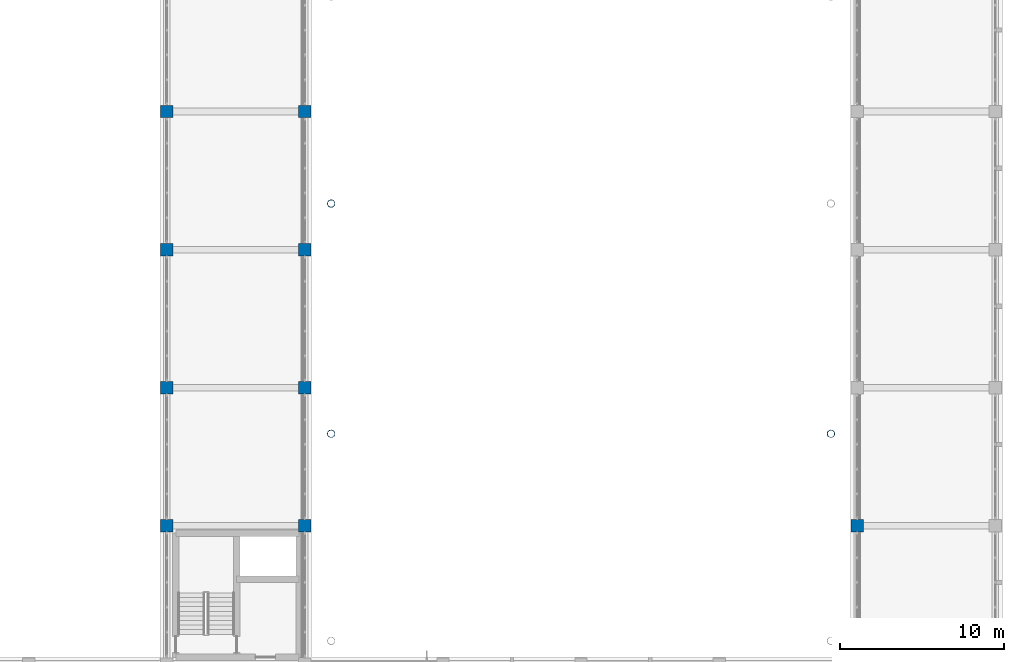
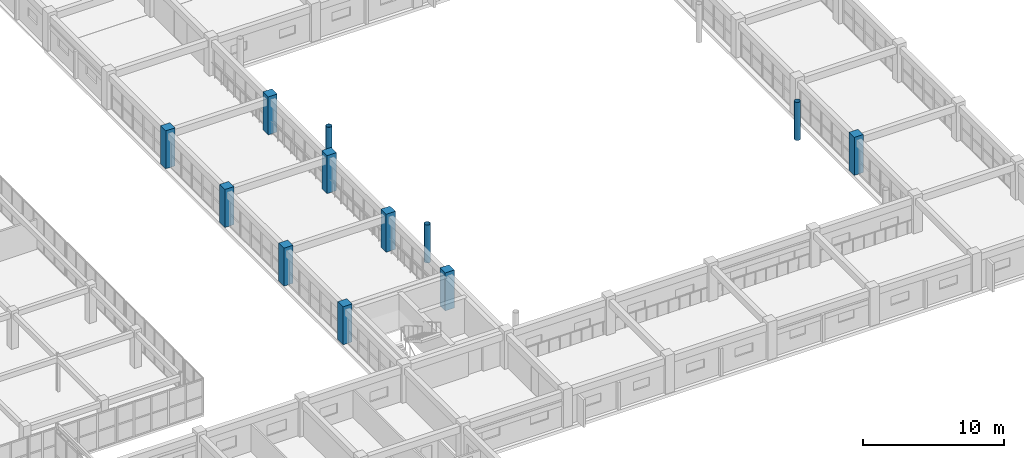
# One storey, part 23 of 200: 12 columns.
"""IFC4 building model written with IfcOpenShell, lengths in metres."""

from ifc_helpers import new_model, si_unit, direction, frame, origin, origin_2d, place, context, subcontext, project, spatial, rectangle, hollow_circle, extrude, material, material_profile, profile_set, type_object, element, save


model = new_model("IFC4")

# Units and contexts
model_context = context("Model", 3, precision=1e-05, world=origin(), true_north=direction((0.0, 1.0)))
body_context = subcontext(model_context, "Body", "Model", "MODEL_VIEW")
ifc_project = project(units=[si_unit("LENGTHUNIT", "METRE"), si_unit("AREAUNIT", "SQUARE_METRE"), si_unit("VOLUMEUNIT", "CUBIC_METRE"), si_unit("PLANEANGLEUNIT", "RADIAN"), si_unit("MASSUNIT", "GRAM", prefix="KILO")], contexts=[model_context])

# Site, building, storey
site_placement = place(None, origin())
site = spatial("IfcSite", under=ifc_project, at=site_placement, CompositionType="ELEMENT")
building_placement = place(site_placement, origin())
building = spatial("IfcBuilding", under=site, at=building_placement, Name="Trelvath General Hospital", CompositionType="ELEMENT")
storey_placement = place(building_placement, frame((0.0, 0.0, 4.800048828125)))
storey = spatial("IfcBuildingStorey", under=building, at=storey_placement, Name="L01", CompositionType="ELEMENT", Elevation=4.800048828125)

# Columns
ifc_material_1 = material(Name="Concrete C40/50", Category="concrete")
ifc_material_profile_1 = material_profile(ifc_material_1, rectangle(XDim=0.75, YDim=0.75, at=origin_2d()), Name="RC750x750")
ifc_profile_set_1 = profile_set([ifc_material_profile_1], Name="Concrete C40/50")
column_type_1 = type_object("IfcColumnType", Name="Column RC750", PredefinedType="COLUMN", material=ifc_profile_set_1)
for number, where, z_axis, x_axis, name in (
    (1, (134.39990234375, 33.60009765625, 0.0), (0.0, 0.0, 1.0), (1.0, 0.0, 0.0), "Column C-17E L01"),
    (2, (134.39990234375, 42.0, 0.0), (0.0, 0.0, 1.0), (1.0, 0.0, 0.0), "Column C-17F L01"),
    (3, (134.39990234375, 50.39990234375, 0.0), (0.0, 0.0, 1.0), (1.0, 0.0, 0.0), "Column C-17G L01"),
    (4, (134.39990234375, 58.800048828125, 0.0), (0.0, 0.0, 1.0), (1.0, 0.0, 0.0), "Column C-17H L01"),
    (5, (142.800048828125, 33.60009765625, 0.0), (0.0, 0.0, 1.0), (1.0, 0.0, 0.0), "Column C-18E L01"),
    (6, (142.800048828125, 42.0, 0.0), (0.0, 0.0, 1.0), (1.0, 0.0, 0.0), "Column C-18F L01"),
    (7, (142.800048828125, 50.39990234375, 0.0), (0.0, 0.0, 1.0), (1.0, 0.0, 0.0), "Column C-18G L01"),
    (8, (142.800048828125, 58.800048828125, 0.0), (0.0, 0.0, 1.0), (1.0, 0.0, 0.0), "Column C-18H L01"),
    (9, (176.39990234375, 33.60009765625, 0.0), (0.0, 0.0, 1.0), (1.0, 0.0, 0.0), "Column C-22E L01"),
):
    element("IfcColumn", number, at=place(storey_placement, frame(where, z_axis=z_axis, x_axis=x_axis)), inside=storey, type_object=column_type_1, Name=name, PredefinedType="COLUMN", context=body_context, shape_type="SweptSolid", body=[
        extrude(rectangle(XDim=0.75, YDim=0.75, at=origin_2d()), origin(), (0.0, 0.0, 1.0), 3.300048828125),
    ])
ifc_material_2 = material(Name="Steel S355", Category="steel")
ifc_material_profile_2 = material_profile(ifc_material_2, hollow_circle(Radius=0.228515625, WallThickness=0.01611328125, at=origin_2d()), Name="CHS457.0x16.0")
ifc_profile_set_2 = profile_set([ifc_material_profile_2], Name="Steel S355")
column_type_2 = type_object("IfcColumnType", Name="TreeColumn CHS457", PredefinedType="COLUMN", material=ifc_profile_set_2)
for number, where, z_axis, x_axis, name in (
    (10, (144.39990234375, 39.199951171875, 0.0), (0.0, 0.0, 1.0), (1.0, 0.0, 0.0), "Space Frame Tree Column TC-02 L01"),
    (11, (144.39990234375, 53.199951171875, 0.0), (0.0, 0.0, 1.0), (1.0, 0.0, 0.0), "Space Frame Tree Column TC-03 L01"),
    (12, (174.800048828125, 39.199951171875, 0.0), (0.0, 0.0, 1.0), (1.0, 0.0, 0.0), "Space Frame Tree Column TC-06 L01"),
):
    element("IfcColumn", number, at=place(storey_placement, frame(where, z_axis=z_axis, x_axis=x_axis)), inside=storey, type_object=column_type_2, Name=name, PredefinedType="COLUMN", context=body_context, shape_type="SweptSolid", body=[
        extrude(hollow_circle(Radius=0.228515625, WallThickness=0.01611328125, at=origin_2d()), origin(), (0.0, 0.0, 1.0), 3.300048828125),
    ])

save(model, "model.ifc")
